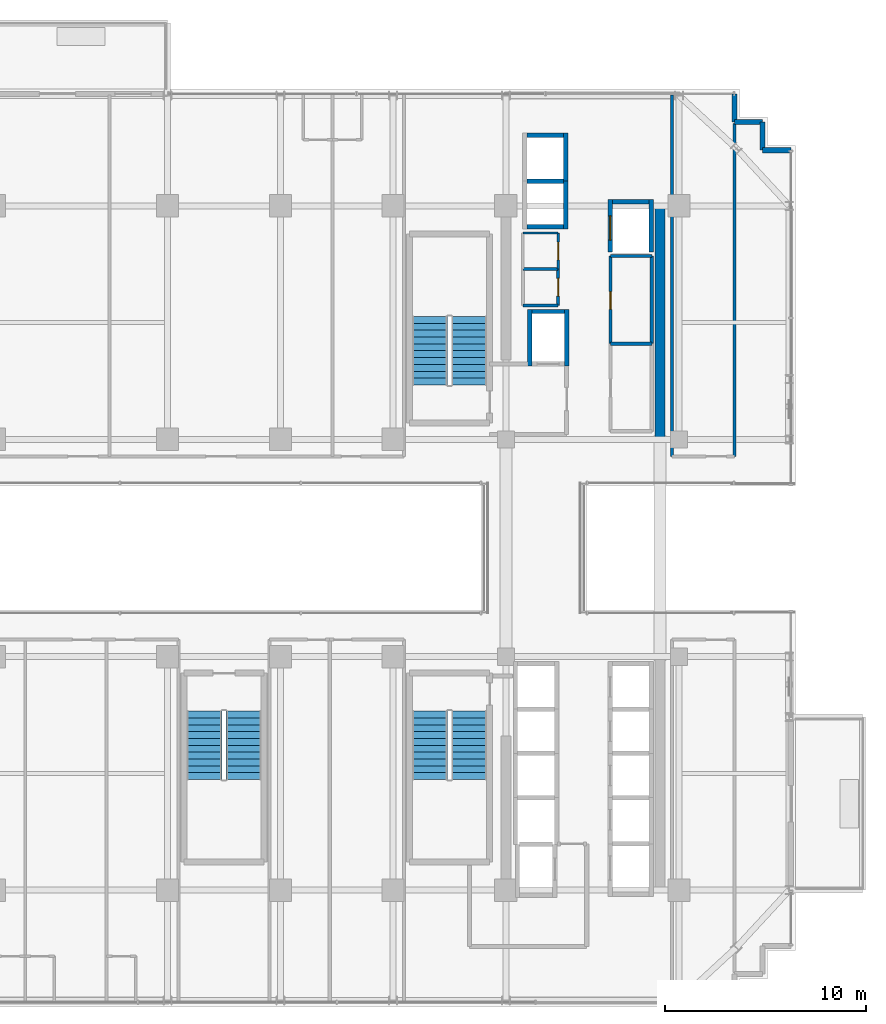
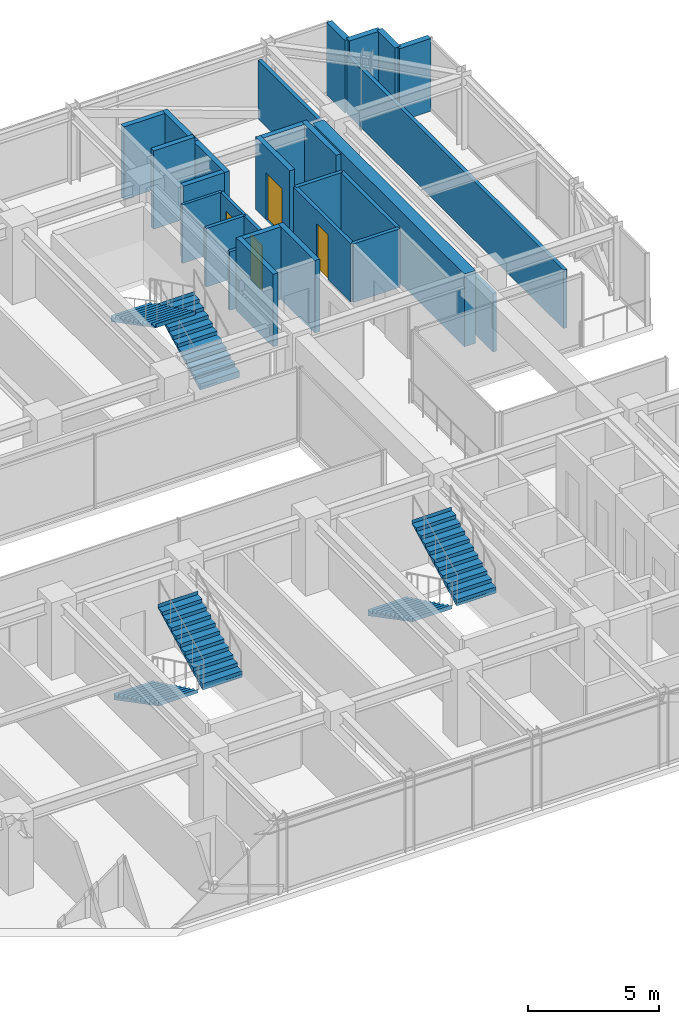
# One storey, part 32 of 36: 27 walls, 6 stair flights, 4 doors, 4 openings, 3 elements without a shape of their own.
"""IFC4 building model written with IfcOpenShell, lengths in metres."""

from ifc_helpers import new_model, si_unit, direction, frame, frame_2d, origin, place, context, subcontext, project, spatial, polyline, rectangle, outline, extrude, source, transform, mapped, material, layer, layer_set, type_object, element, fill, aggregate, save


model = new_model("IFC4")

# Units and contexts
model_context = context("Model", 3, precision=1e-05, world=origin(), true_north=direction((0.0, 1.0)))
body_context = subcontext(model_context, "Body", "Model", "MODEL_VIEW")
ifc_project = project(units=[si_unit("LENGTHUNIT", "METRE"), si_unit("AREAUNIT", "SQUARE_METRE"), si_unit("VOLUMEUNIT", "CUBIC_METRE"), si_unit("PLANEANGLEUNIT", "RADIAN"), si_unit("MASSUNIT", "GRAM", prefix="KILO")], contexts=[model_context])

# Site, building, storey
site_placement = place(None, origin())
site = spatial("IfcSite", under=ifc_project, at=site_placement, CompositionType="ELEMENT")
building_placement = place(site_placement, origin())
building = spatial("IfcBuilding", under=site, at=building_placement, Name="Nahalor Promenade Grand Hotel", CompositionType="ELEMENT")
storey_placement = place(building_placement, frame((0.0, 0.0, 174.550048828125)))
storey = spatial("IfcBuildingStorey", under=building, at=storey_placement, Name="L44", CompositionType="ELEMENT", Elevation=174.550048828125)

# Walls
ifc_material_1 = material(Name="Concrete B-60 (C50/60)", Category="concrete")
ifc_layer_1 = layer(ifc_material_1, 0.5)
ifc_layer_set_1 = layer_set([ifc_layer_1], Name="Concrete B-60 (C50/60)")
wall_type_1 = type_object("IfcWallType", Name="Wall-CoreShear-500", PredefinedType="SHEAR", material=ifc_layer_set_1)
shared_shape_1 = source(origin(), body_context, "Body", "SweptSolid", [
    extrude(rectangle(XDim=11.60009765625, YDim=0.5, at=frame_2d((5.800048828125, 0.0))), origin(), (0.0, 0.0, 1.0), 3.389892578125),
])
wall_1_placement = place(storey_placement, frame((16.050048828125, 5.39990234375, 0.0), z_axis=(0.0, 0.0, 1.0), x_axis=(0.0, 1.0, 0.0)))
element("IfcWall", 1, at=wall_1_placement, inside=storey, type_object=wall_type_1, Name="CWALL-L44-NE", PredefinedType="SHEAR", context=body_context, shape_type="MappedRepresentation", body=[
    mapped(shared_shape_1, transform((0.0, 0.0, 0.0), scale=1.0)),
])
ifc_material_2 = material(Name="Concrete B-50 (C40/50)", Category="concrete")
ifc_layer_2 = layer(ifc_material_2, 0.219970703125)
ifc_layer_set_2 = layer_set([ifc_layer_2], Name="Concrete B-50 (C40/50)")
wall_type_2 = type_object("IfcWallType", Name="Wall-LiftShaft-220", PredefinedType="SHEAR", material=ifc_layer_set_2)
shared_shape_2 = source(origin(), body_context, "Body", "SweptSolid", [
    extrude(rectangle(XDim=1.820068359375, YDim=0.219970703125, at=frame_2d((0.91015625, 0.0))), origin(), (0.0, 0.0, 1.0), 3.64990234375),
])
wall_2_placement = place(storey_placement, frame((9.43994140625, 18.22509765625, 0.0), z_axis=(0.0, 0.0, 1.0), x_axis=(1.0, 0.0, 0.0)))
element("IfcWall", 2, at=wall_2_placement, inside=storey, type_object=wall_type_2, Name="L44 Lift OB1 Hoistway Wall N", PredefinedType="SHEAR", context=body_context, shape_type="MappedRepresentation", body=[
    mapped(shared_shape_2, transform((0.0, 0.0, 0.0), scale=1.0)),
])
shared_shape_3 = source(origin(), body_context, "Body", "SweptSolid", [
    extrude(rectangle(XDim=1.820068359375, YDim=0.219970703125, at=frame_2d((0.91015625, 0.0))), origin(), (0.0, 0.0, 1.0), 3.389892578125),
])
for number, where, z_axis, x_axis, name in (
    (3, (9.43994140625, 15.949951171875, 0.0), (0.0, 0.0, 1.0), (1.0, 0.0, 0.0), "L44 Lift OB1 Hoistway Wall S"),
    (4, (9.43994140625, 20.5, 0.0), (0.0, 0.0, 1.0), (1.0, 0.0, 0.0), "L44 Lift OB2 Hoistway Wall N"),
    (5, (13.68994140625, 17.199951171875, 0.0), (0.0, 0.0, 1.0), (1.0, 0.0, 0.0), "L44 Lift SV1 Hoistway Wall N"),
):
    element("IfcWall", number, at=place(storey_placement, frame(where, z_axis=z_axis, x_axis=x_axis)), inside=storey, type_object=wall_type_2, Name=name, PredefinedType="SHEAR", context=body_context, shape_type="MappedRepresentation", body=[
        mapped(shared_shape_3, transform((0.0, 0.0, 0.0), scale=1.0)),
    ])
shared_shape_4 = source(origin(), body_context, "Body", "SweptSolid", [
    extrude(rectangle(XDim=2.385009765625, YDim=0.219970703125, at=frame_2d((1.1923828125, 0.0))), origin(), (0.0, 0.0, 1.0), 3.389892578125),
])
for number, where, z_axis, x_axis, name in (
    (6, (11.3701171875, 15.840087890625, 0.0), (0.0, 0.0, 1.0), (0.0, 1.0, 0.0), "L44 Lift OB1 Hoistway Wall E"),
    (7, (11.3701171875, 18.22509765625, 0.0), (0.0, 0.0, 1.0), (0.0, 1.0, 0.0), "L44 Lift OB2 Hoistway Wall E"),
):
    element("IfcWall", number, at=place(storey_placement, frame(where, z_axis=z_axis, x_axis=x_axis)), inside=storey, type_object=wall_type_2, Name=name, PredefinedType="SHEAR", context=body_context, shape_type="MappedRepresentation", body=[
        mapped(shared_shape_4, transform((0.0, 0.0, 0.0), scale=1.0)),
    ])
shared_shape_5 = source(origin(), body_context, "Body", "SweptSolid", [
    extrude(rectangle(XDim=2.820068359375, YDim=0.219970703125, at=frame_2d((1.41015625, 0.0))), origin(), (0.0, 0.0, 1.0), 3.389892578125),
])
for number, where, z_axis, x_axis, name in (
    (8, (9.580078125, 9.0400390625, 0.0), (0.0, 0.0, 1.0), (0.0, 1.0, 0.0), "L44 Lift FL1 Hoistway Wall W"),
    (9, (11.419921875, 9.0400390625, 0.0), (0.0, 0.0, 1.0), (0.0, 1.0, 0.0), "L44 Lift FL1 Hoistway Wall E"),
):
    element("IfcWall", number, at=place(storey_placement, frame(where, z_axis=z_axis, x_axis=x_axis)), inside=storey, type_object=wall_type_2, Name=name, PredefinedType="SHEAR", context=body_context, shape_type="MappedRepresentation", body=[
        mapped(shared_shape_5, transform((0.0, 0.0, 0.0), scale=1.0)),
    ])
shared_shape_6 = source(origin(), body_context, "Body", "SweptSolid", [
    extrude(rectangle(XDim=1.6201171875, YDim=0.219970703125, at=frame_2d((0.81005859375, 0.0))), origin(), (0.0, 0.0, 1.0), 3.389892578125),
])
wall_3_placement = place(storey_placement, frame((9.68994140625, 11.75, 0.0), z_axis=(0.0, 0.0, 1.0), x_axis=(1.0, 0.0, 0.0)))
element("IfcWall", 10, at=wall_3_placement, inside=storey, type_object=wall_type_2, Name="L44 Lift FL1 Hoistway Wall N", PredefinedType="SHEAR", context=body_context, shape_type="MappedRepresentation", body=[
    mapped(shared_shape_6, transform((0.0, 0.0, 0.0), scale=1.0)),
])

# Wall, opening, door
shared_shape_7 = source(origin(), body_context, "Body", "SweptSolid", [
    extrude(rectangle(XDim=2.610107421875, YDim=0.219970703125, at=frame_2d((1.30517578125, 0.0))), origin(), (0.0, 0.0, 1.0), 3.389892578125),
])
wall_4_placement = place(storey_placement, frame((13.580078125, 14.699951171875, 0.0), z_axis=(0.0, 0.0, 1.0), x_axis=(0.0, 1.0, 0.0)))
wall_4 = element("IfcWall", 11, at=wall_4_placement, inside=storey, type_object=wall_type_2, Name="L44 Lift SV1 Hoistway Wall W", PredefinedType="SHEAR", context=body_context, shape_type="MappedRepresentation", body=[
    mapped(shared_shape_7, transform((0.0, 0.0, 0.0), scale=1.0)),
])
opening_1_placement = place(wall_4_placement, frame((0.60009765625, 0.0, 0.0)))
opening_1 = element("IfcOpeningElement", 12, at=opening_1_placement, cuts=wall_4, Name="Opening LD-03", PredefinedType="OPENING", context=body_context, shape_type="SweptSolid", body=[
    extrude(rectangle(XDim=1.199951171875, YDim=2.199951171875, at=frame_2d((0.60009765625, 1.10009765625))), frame((0.0, 0.119873046875, 0.0), z_axis=(0.0, -1.0, 0.0), x_axis=(1.0, 0.0, 0.0)), (0.0, 0.0, 1.0), 0.239990234375),
])
ifc_material_3 = material(Name="Steel S355JR", Category="steel")
door_type_1 = type_object("IfcDoorType", Name="Door-LiftService-1200", OperationType="DOUBLE_DOOR_SLIDING", PredefinedType="DOOR", material=ifc_material_3)
shared_shape_8 = source(origin(), body_context, "Body", "SweptSolid", [
    extrude(rectangle(XDim=1.199951171875, YDim=2.199951171875, at=frame_2d((0.60009765625, 1.10009765625))), frame((0.0, 0.02490234375, 0.0), z_axis=(0.0, -1.0, 0.0), x_axis=(1.0, 0.0, 0.0)), (0.0, 0.0, 1.0), 0.050048828125),
])
door_1_placement = place(opening_1_placement, origin())
door_1 = element("IfcDoor", 13, at=door_1_placement, inside=storey, type_object=door_type_1, Name="DR-LIFT-SV1-L44", OperationType="DOUBLE_DOOR_SLIDING", OverallHeight=2.199951171875, OverallWidth=1.199951171875, PredefinedType="DOOR", context=body_context, shape_type="MappedRepresentation", body=[
    mapped(shared_shape_8, transform((0.0, 0.0, 0.0), scale=1.0)),
])
fill(opening_1, door_1)

# Walls
wall_5_placement = place(storey_placement, frame((15.6201171875, 14.699951171875, 0.0), z_axis=(0.0, 0.0, 1.0), x_axis=(0.0, 1.0, 0.0)))
element("IfcWall", 14, at=wall_5_placement, inside=storey, type_object=wall_type_2, Name="L44 Lift SV1 Hoistway Wall E", PredefinedType="SHEAR", context=body_context, shape_type="MappedRepresentation", body=[
    mapped(shared_shape_7, transform((0.0, 0.0, 0.0), scale=1.0)),
])
ifc_material_4 = material(Name="Concrete B-40 (C32/40)", Category="concrete")
ifc_layer_3 = layer(ifc_material_4, 0.25)
ifc_layer_set_3 = layer_set([ifc_layer_3], Name="Concrete B-40 (C32/40)")
wall_type_3 = type_object("IfcWallType", Name="Wall-BronzePier-250", PredefinedType="STANDARD", material=ifc_layer_set_3)
shared_shape_9 = source(origin(), body_context, "Body", "SweptSolid", [
    extrude(rectangle(XDim=1.400146484375, YDim=0.25, at=frame_2d((0.7001953125, 0.0))), origin(), (0.0, 0.0, 1.0), 3.389892578125),
])
for number, where, z_axis, x_axis, name in (
    (15, (21.159912109375, 19.760009765625, 0.0), (0.0, 0.0, 1.0), (1.0, 0.0, 0.0), "W-L44-SR-05"),
    (16, (19.760009765625, 21.159912109375, 0.0), (0.0, 0.0, 1.0), (0.0, 1.0, 0.0), "W-L44-SR-08"),
):
    element("IfcWall", number, at=place(storey_placement, frame(where, z_axis=z_axis, x_axis=x_axis)), inside=storey, type_object=wall_type_3, Name=name, PredefinedType="STANDARD", context=body_context, shape_type="MappedRepresentation", body=[
        mapped(shared_shape_9, transform((0.0, 0.0, 0.0), scale=1.0)),
    ])
shared_shape_10 = source(origin(), body_context, "Body", "SweptSolid", [
    extrude(rectangle(XDim=1.39990234375, YDim=0.25, at=frame_2d((0.699951171875, 0.0))), origin(), (0.0, 0.0, 1.0), 3.389892578125),
])
for number, where, z_axis, x_axis, name in (
    (17, (21.159912109375, 19.760009765625, 0.0), (0.0, 0.0, 1.0), (0.0, 1.0, 0.0), "W-L44-SR-06"),
    (18, (19.760009765625, 21.159912109375, 0.0), (0.0, 0.0, 1.0), (1.0, 0.0, 0.0), "W-L44-SR-07"),
):
    element("IfcWall", number, at=place(storey_placement, frame(where, z_axis=z_axis, x_axis=x_axis)), inside=storey, type_object=wall_type_3, Name=name, PredefinedType="STANDARD", context=body_context, shape_type="MappedRepresentation", body=[
        mapped(shared_shape_10, transform((0.0, 0.0, 0.0), scale=1.0)),
    ])
ifc_material_5 = material(Name="Acoustic Mineral Gypsum", Category="gypsum")
ifc_layer_4 = layer(ifc_material_5, 0.14990234375)
ifc_layer_set_4 = layer_set([ifc_layer_4], Name="Acoustic Mineral Gypsum")
wall_type_4 = type_object("IfcWallType", Name="Wall-PartService-150", PredefinedType="PARTITIONING", material=ifc_layer_set_4)
shared_shape_11 = source(origin(), body_context, "Body", "SweptSolid", [
    extrude(rectangle(XDim=1.75, YDim=0.14990234375, at=frame_2d((0.875, 0.0))), origin(), (0.0, 0.0, 1.0), 2.72998046875),
])
for number, where, z_axis, x_axis, name in (
    (19, (9.25, 12.050048828125, 0.0), (0.0, 0.0, 1.0), (1.0, 0.0, 0.0), "W-L44-CK2A-S"),
    (20, (9.25, 13.85009765625, 0.0), (0.0, 0.0, 1.0), (1.0, 0.0, 0.0), "W-L44-CK2A-N"),
):
    element("IfcWall", number, at=place(storey_placement, frame(where, z_axis=z_axis, x_axis=x_axis)), inside=storey, type_object=wall_type_4, Name=name, PredefinedType="PARTITIONING", context=body_context, shape_type="MappedRepresentation", body=[
        mapped(shared_shape_11, transform((0.0, 0.0, 0.0), scale=1.0)),
    ])
ifc_layer_5 = layer(ifc_material_5, 0.159912109375)
ifc_layer_set_5 = layer_set([ifc_layer_5], Name="Acoustic Mineral Gypsum")
wall_type_5 = type_object("IfcWallType", Name="Wall-PartCorridor-160", PredefinedType="PARTITIONING", material=ifc_layer_set_5)
shared_shape_12 = source(origin(), body_context, "Body", "SweptSolid", [
    extrude(rectangle(XDim=2.0498046875, YDim=0.159912109375, at=frame_2d((1.02490234375, 0.0))), origin(), (0.0, 0.0, 1.0), 2.72998046875),
])
for number, where, z_axis, x_axis, name in (
    (21, (13.60009765625, 10.14990234375, 0.0), (0.0, 0.0, 1.0), (1.0, 0.0, 0.0), "W-L44-FRB1A-N"),
    (22, (13.60009765625, 14.5, 0.0), (0.0, 0.0, 1.0), (1.0, 0.0, 0.0), "W-L44-FRB1B-N"),
):
    element("IfcWall", number, at=place(storey_placement, frame(where, z_axis=z_axis, x_axis=x_axis)), inside=storey, type_object=wall_type_5, Name=name, PredefinedType="PARTITIONING", context=body_context, shape_type="MappedRepresentation", body=[
        mapped(shared_shape_12, transform((0.0, 0.0, 0.0), scale=1.0)),
    ])
shared_shape_13 = source(origin(), body_context, "Body", "SweptSolid", [
    extrude(rectangle(XDim=17.949951171875, YDim=0.159912109375, at=frame_2d((8.97509765625, 0.0))), origin(), (0.0, 0.0, 1.0), 2.72998046875),
])
wall_6_placement = place(storey_placement, frame((16.64990234375, 4.550048828125, 0.0), z_axis=(0.0, 0.0, 1.0), x_axis=(0.0, 1.0, 0.0)))
element("IfcWall", 23, at=wall_6_placement, inside=storey, type_object=wall_type_5, Name="W-L44-ENE-W", PredefinedType="PARTITIONING", context=body_context, shape_type="MappedRepresentation", body=[
    mapped(shared_shape_13, transform((0.0, 0.0, 0.0), scale=1.0)),
])
shared_shape_14 = source(origin(), body_context, "Body", "SweptSolid", [
    extrude(rectangle(XDim=16.530029296875, YDim=0.159912109375, at=frame_2d((8.26513671875, 0.0))), origin(), (0.0, 0.0, 1.0), 2.72998046875),
])
wall_7_placement = place(storey_placement, frame((19.760009765625, 4.550048828125, 0.0), z_axis=(0.0, 0.0, 1.0), x_axis=(0.0, 1.0, 0.0)))
element("IfcWall", 24, at=wall_7_placement, inside=storey, type_object=wall_type_5, Name="W-L44-ENE-E", PredefinedType="PARTITIONING", context=body_context, shape_type="MappedRepresentation", body=[
    mapped(shared_shape_14, transform((0.0, 0.0, 0.0), scale=1.0)),
])

# Wall, opening, door
shared_shape_15 = source(origin(), body_context, "Body", "SweptSolid", [
    extrude(rectangle(XDim=1.800048828125, YDim=0.14990234375, at=frame_2d((0.89990234375, 0.0))), origin(), (0.0, 0.0, 1.0), 2.72998046875),
])
wall_8_placement = place(storey_placement, frame((11.0, 12.050048828125, 0.0), z_axis=(0.0, 0.0, 1.0), x_axis=(0.0, 1.0, 0.0)))
wall_8 = element("IfcWall", 25, at=wall_8_placement, inside=storey, type_object=wall_type_4, Name="W-L44-CK2A-E", PredefinedType="PARTITIONING", context=body_context, shape_type="MappedRepresentation", body=[
    mapped(shared_shape_15, transform((0.0, 0.0, 0.0), scale=1.0)),
])
opening_2_placement = place(wall_8_placement, frame((0.4599609375, 0.0, 0.0)))
opening_2 = element("IfcOpeningElement", 26, at=opening_2_placement, cuts=wall_8, Name="Opening D-03", PredefinedType="OPENING", context=body_context, shape_type="SweptSolid", body=[
    extrude(rectangle(XDim=0.8798828125, YDim=2.10009765625, at=frame_2d((0.43994140625, 1.050048828125))), frame((0.0, 0.0849609375, 0.0), z_axis=(0.0, -1.0, 0.0), x_axis=(1.0, 0.0, 0.0)), (0.0, 0.0, 1.0), 0.169921875),
])
ifc_material_6 = material(Name="Fire-Rated Timber Composite", Category="wood")
door_type_2 = type_object("IfcDoorType", Name="Door-BathSwing-880", OperationType="NOTDEFINED", PredefinedType="DOOR", material=ifc_material_6)
shared_shape_16 = source(origin(), body_context, "Body", "SweptSolid", [
    extrude(rectangle(XDim=0.8798828125, YDim=2.10009765625, at=frame_2d((0.43994140625, 1.050048828125))), frame((0.0, 0.02490234375, 0.0), z_axis=(0.0, -1.0, 0.0), x_axis=(1.0, 0.0, 0.0)), (0.0, 0.0, 1.0), 0.050048828125),
])
door_2_placement = place(opening_2_placement, origin())
door_2 = element("IfcDoor", 27, at=door_2_placement, inside=storey, type_object=door_type_2, Name="DR-L44-CK2A", OperationType="SINGLE_SWING_LEFT", OverallHeight=2.10009765625, OverallWidth=0.8798828125, PredefinedType="DOOR", context=body_context, shape_type="MappedRepresentation", body=[
    mapped(shared_shape_16, transform((0.0, 0.0, 0.0), scale=1.0)),
])
fill(opening_2, door_2)

# Wall
ifc_layer_6 = layer(ifc_material_5, 0.1201171875)
ifc_layer_set_6 = layer_set([ifc_layer_6], Name="Acoustic Mineral Gypsum")
wall_type_6 = type_object("IfcWallType", Name="Wall-PartBath-120", PredefinedType="PARTITIONING", material=ifc_layer_set_6)
shared_shape_17 = source(origin(), body_context, "Body", "SweptSolid", [
    extrude(rectangle(XDim=1.75, YDim=0.1201171875, at=frame_2d((0.875, 0.0))), origin(), (0.0, 0.0, 1.0), 2.72998046875),
])
wall_9_placement = place(storey_placement, frame((9.25, 15.64990234375, 0.0), z_axis=(0.0, 0.0, 1.0), x_axis=(1.0, 0.0, 0.0)))
element("IfcWall", 28, at=wall_9_placement, inside=storey, type_object=wall_type_6, Name="W-L44-CK2B-N", PredefinedType="PARTITIONING", context=body_context, shape_type="MappedRepresentation", body=[
    mapped(shared_shape_17, transform((0.0, 0.0, 0.0), scale=1.0)),
])

# Wall, opening, door
shared_shape_18 = source(origin(), body_context, "Body", "SweptSolid", [
    extrude(rectangle(XDim=1.7998046875, YDim=0.1201171875, at=frame_2d((0.89990234375, 0.0))), origin(), (0.0, 0.0, 1.0), 2.72998046875),
])
wall_10_placement = place(storey_placement, frame((11.0, 13.85009765625, 0.0), z_axis=(0.0, 0.0, 1.0), x_axis=(0.0, 1.0, 0.0)))
wall_10 = element("IfcWall", 29, at=wall_10_placement, inside=storey, type_object=wall_type_6, Name="W-L44-CK2B-E", PredefinedType="PARTITIONING", context=body_context, shape_type="MappedRepresentation", body=[
    mapped(shared_shape_18, transform((0.0, 0.0, 0.0), scale=1.0)),
])
opening_3_placement = place(wall_10_placement, frame((0.4599609375, 0.0, 0.0)))
opening_3 = element("IfcOpeningElement", 30, at=opening_3_placement, cuts=wall_10, Name="Opening D-03", PredefinedType="OPENING", context=body_context, shape_type="SweptSolid", body=[
    extrude(rectangle(XDim=0.8798828125, YDim=2.10009765625, at=frame_2d((0.43994140625, 1.050048828125))), frame((0.0, 0.070068359375, 0.0), z_axis=(0.0, -1.0, 0.0), x_axis=(1.0, 0.0, 0.0)), (0.0, 0.0, 1.0), 0.14013671875),
])
door_3_placement = place(opening_3_placement, origin())
door_3 = element("IfcDoor", 31, at=door_3_placement, inside=storey, type_object=door_type_2, Name="DR-L44-CK2B", OperationType="SINGLE_SWING_RIGHT", OverallHeight=2.10009765625, OverallWidth=0.8798828125, PredefinedType="DOOR", context=body_context, shape_type="MappedRepresentation", body=[
    mapped(shared_shape_16, transform((0.0, 0.0, 0.0), scale=1.0)),
])
fill(opening_3, door_3)

shared_shape_19 = source(origin(), body_context, "Body", "SweptSolid", [
    extrude(rectangle(XDim=4.35009765625, YDim=0.159912109375, at=frame_2d((2.175048828125, 0.0))), origin(), (0.0, 0.0, 1.0), 2.72998046875),
])
wall_11_placement = place(storey_placement, frame((13.60009765625, 10.14990234375, 0.0), z_axis=(0.0, 0.0, 1.0), x_axis=(0.0, 1.0, 0.0)))
wall_11 = element("IfcWall", 32, at=wall_11_placement, inside=storey, type_object=wall_type_5, Name="W-L44-FRB1B-W", PredefinedType="PARTITIONING", context=body_context, shape_type="MappedRepresentation", body=[
    mapped(shared_shape_19, transform((0.0, 0.0, 0.0), scale=1.0)),
])
opening_4_placement = place(wall_11_placement, frame((1.7099609375, 0.0, 0.0)))
opening_4 = element("IfcOpeningElement", 33, at=opening_4_placement, cuts=wall_11, Name="Opening D-03", PredefinedType="OPENING", context=body_context, shape_type="SweptSolid", body=[
    extrude(rectangle(XDim=0.8798828125, YDim=2.10009765625, at=frame_2d((0.43994140625, 1.050048828125))), frame((0.0, 0.08984375, 0.0), z_axis=(0.0, -1.0, 0.0), x_axis=(1.0, 0.0, 0.0)), (0.0, 0.0, 1.0), 0.179931640625),
])
door_4_placement = place(opening_4_placement, frame((0.8798828125, 0.0, 0.0), z_axis=(0.0, 0.0, 1.0), x_axis=(-1.0, 0.0, 0.0)))
door_4 = element("IfcDoor", 34, at=door_4_placement, inside=storey, type_object=door_type_2, Name="DR-L44-FRB1B", OperationType="SINGLE_SWING_RIGHT", OverallHeight=2.10009765625, OverallWidth=0.8798828125, PredefinedType="DOOR", context=body_context, shape_type="MappedRepresentation", body=[
    mapped(shared_shape_16, transform((0.0, 0.0, 0.0), scale=1.0)),
])
fill(opening_4, door_4)

# Wall
wall_12_placement = place(storey_placement, frame((15.64990234375, 10.14990234375, 0.0), z_axis=(0.0, 0.0, 1.0), x_axis=(0.0, 1.0, 0.0)))
element("IfcWall", 35, at=wall_12_placement, inside=storey, type_object=wall_type_5, Name="W-L44-FRB1B-E", PredefinedType="PARTITIONING", context=body_context, shape_type="MappedRepresentation", body=[
    mapped(shared_shape_19, transform((0.0, 0.0, 0.0), scale=1.0)),
])

# Stair, stair flights
stair_type_1 = type_object("IfcStairType", Name="Stair-ST1", PredefinedType="HALF_TURN_STAIR", material=ifc_material_2)
stair_1_placement = place(storey_placement, origin())
stair_1 = element("IfcStair", 36, at=stair_1_placement, inside=storey, type_object=stair_type_1, Name="L44 ST1", PredefinedType="HALF_TURN_STAIR")
ifc_layer_7 = layer(ifc_material_2, 0.179931640625)
ifc_layer_set_7 = layer_set([ifc_layer_7], Name="Concrete B-50 (C40/50)")
stair_flight_type_1 = type_object("IfcStairFlightType", Name="Flight-ST1", PredefinedType="STRAIGHT", material=ifc_layer_set_7)
shared_shape_20 = source(origin(), body_context, "Body", "SweptSolid", [
    extrude(outline(polyline([(-0.00390625, -0.1201171875), (-0.00390625, 0.0), (0.0, 0.0), (0.0, 0.166015625), (0.340087890625, 0.166015625), (0.340087890625, 0.331787109375), (0.679931640625, 0.331787109375), (0.679931640625, 0.497802734375), (1.02001953125, 0.497802734375), (1.02001953125, 0.66357421875), (1.360107421875, 0.66357421875), (1.360107421875, 0.82958984375), (1.699951171875, 0.82958984375), (1.699951171875, 0.995361328125), (2.0400390625, 0.995361328125), (2.0400390625, 1.161376953125), (2.3798828125, 1.161376953125), (2.3798828125, 1.327392578125), (2.719970703125, 1.327392578125), (2.719970703125, 1.4931640625), (3.06005859375, 1.4931640625), (3.06005859375, 1.6591796875), (3.39990234375, 1.6591796875), (3.39990234375, 1.824951171875), (3.404052734375, 1.824951171875), (3.404052734375, 1.64501953125), (0.02001953125, -0.1201171875), (-0.00390625, -0.1201171875)])), frame((0.0, 0.875, 0.0), z_axis=(0.0, -1.0, 0.0), x_axis=(1.0, 0.0, 0.0)), (0.0, 0.0, 1.0), 1.75),
])
stair_flight_1_placement = place(storey_placement, frame((6.574951171875, 8.10009765625, 0.0), z_axis=(0.0, 0.0, 1.0), x_axis=(0.0, 1.0, 0.0)))
stair_flight_1 = element("IfcStairFlight", 37, at=stair_flight_1_placement, type_object=stair_flight_type_1, Name="ST1 flight 1", NumberOfRisers=11, NumberOfTreads=10, PredefinedType="STRAIGHT", RiserHeight=0.165909091, TreadLength=0.34, context=body_context, shape_type="MappedRepresentation", body=[
    mapped(shared_shape_20, transform((0.0, 0.0, 0.0), scale=1.0)),
])
stair_flight_2_placement = place(storey_placement, frame((4.625, 11.5, 1.824951171875), z_axis=(0.0, 0.0, 1.0), x_axis=(0.0, -1.0, 0.0)))
stair_flight_2 = element("IfcStairFlight", 38, at=stair_flight_2_placement, type_object=stair_flight_type_1, Name="ST1 flight 2", NumberOfRisers=11, NumberOfTreads=10, PredefinedType="STRAIGHT", RiserHeight=0.165909091, TreadLength=0.34, context=body_context, shape_type="MappedRepresentation", body=[
    mapped(shared_shape_20, transform((0.0, 0.0, 0.0), scale=1.0)),
])
aggregate(stair_1, [stair_flight_1, stair_flight_2])

stair_type_2 = type_object("IfcStairType", Name="Stair-ST2", PredefinedType="HALF_TURN_STAIR", material=ifc_material_2)
stair_2_placement = place(storey_placement, origin())
stair_2 = element("IfcStair", 39, at=stair_2_placement, inside=storey, type_object=stair_type_2, Name="L44 ST2", PredefinedType="HALF_TURN_STAIR")
ifc_layer_8 = layer(ifc_material_2, 0.18994140625)
ifc_layer_set_8 = layer_set([ifc_layer_8], Name="Concrete B-50 (C40/50)")
stair_flight_type_2 = type_object("IfcStairFlightType", Name="Flight-ST2", PredefinedType="STRAIGHT", material=ifc_layer_set_8)
shared_shape_21 = source(origin(), body_context, "Body", "SweptSolid", [
    extrude(outline(polyline([(-0.00390625, -0.1201171875), (-0.00390625, 0.0), (0.0, 0.0), (0.0, 0.166015625), (0.340087890625, 0.166015625), (0.340087890625, 0.331787109375), (0.679931640625, 0.331787109375), (0.679931640625, 0.497802734375), (1.02001953125, 0.497802734375), (1.02001953125, 0.66357421875), (1.360107421875, 0.66357421875), (1.360107421875, 0.82958984375), (1.699951171875, 0.82958984375), (1.699951171875, 0.995361328125), (2.0400390625, 0.995361328125), (2.0400390625, 1.161376953125), (2.3798828125, 1.161376953125), (2.3798828125, 1.327392578125), (2.719970703125, 1.327392578125), (2.719970703125, 1.4931640625), (3.06005859375, 1.4931640625), (3.06005859375, 1.6591796875), (3.39990234375, 1.6591796875), (3.39990234375, 1.824951171875), (3.404052734375, 1.824951171875), (3.404052734375, 1.64501953125), (0.02001953125, -0.1201171875), (-0.00390625, -0.1201171875)])), frame((0.0, 0.875, 0.0), z_axis=(0.0, -1.0, 0.0), x_axis=(1.0, 0.0, 0.0)), (0.0, 0.0, 1.0), 1.75),
])
stair_flight_3_placement = place(storey_placement, frame((4.625, -8.10009765625, 0.0), z_axis=(0.0, 0.0, 1.0), x_axis=(0.0, -1.0, 0.0)))
stair_flight_3 = element("IfcStairFlight", 40, at=stair_flight_3_placement, type_object=stair_flight_type_2, Name="ST2 flight 1", NumberOfRisers=11, NumberOfTreads=10, PredefinedType="STRAIGHT", RiserHeight=0.165909091, TreadLength=0.34, context=body_context, shape_type="MappedRepresentation", body=[
    mapped(shared_shape_21, transform((0.0, 0.0, 0.0), scale=1.0)),
])
stair_flight_4_placement = place(storey_placement, frame((6.574951171875, -11.5, 1.824951171875), z_axis=(0.0, 0.0, 1.0), x_axis=(0.0, 1.0, 0.0)))
stair_flight_4 = element("IfcStairFlight", 41, at=stair_flight_4_placement, type_object=stair_flight_type_2, Name="ST2 flight 2", NumberOfRisers=11, NumberOfTreads=10, PredefinedType="STRAIGHT", RiserHeight=0.165909091, TreadLength=0.34, context=body_context, shape_type="MappedRepresentation", body=[
    mapped(shared_shape_21, transform((0.0, 0.0, 0.0), scale=1.0)),
])
aggregate(stair_2, [stair_flight_3, stair_flight_4])

stair_type_3 = type_object("IfcStairType", Name="Stair-ST3", PredefinedType="HALF_TURN_STAIR", material=ifc_material_2)
stair_3_placement = place(storey_placement, origin())
stair_3 = element("IfcStair", 42, at=stair_3_placement, inside=storey, type_object=stair_type_3, Name="L44 ST3", PredefinedType="HALF_TURN_STAIR")
ifc_layer_9 = layer(ifc_material_2, 0.199951171875)
ifc_layer_set_9 = layer_set([ifc_layer_9], Name="Concrete B-50 (C40/50)")
stair_flight_type_3 = type_object("IfcStairFlightType", Name="Flight-ST3", PredefinedType="STRAIGHT", material=ifc_layer_set_9)
shared_shape_22 = source(origin(), body_context, "Body", "SweptSolid", [
    extrude(outline(polyline([(-0.00390625, -0.1201171875), (-0.00390625, 0.0), (0.0, 0.0), (0.0, 0.166015625), (0.340087890625, 0.166015625), (0.340087890625, 0.331787109375), (0.679931640625, 0.331787109375), (0.679931640625, 0.497802734375), (1.02001953125, 0.497802734375), (1.02001953125, 0.66357421875), (1.360107421875, 0.66357421875), (1.360107421875, 0.82958984375), (1.699951171875, 0.82958984375), (1.699951171875, 0.995361328125), (2.0400390625, 0.995361328125), (2.0400390625, 1.161376953125), (2.3798828125, 1.161376953125), (2.3798828125, 1.327392578125), (2.719970703125, 1.327392578125), (2.719970703125, 1.4931640625), (3.06005859375, 1.4931640625), (3.06005859375, 1.6591796875), (3.39990234375, 1.6591796875), (3.39990234375, 1.824951171875), (3.404052734375, 1.824951171875), (3.404052734375, 1.64501953125), (0.02001953125, -0.1201171875), (-0.00390625, -0.1201171875)])), frame((0.0, 0.875, 0.0), z_axis=(0.0, -1.0, 0.0), x_axis=(1.0, 0.0, 0.0)), (0.0, 0.0, 1.0), 1.75),
])
stair_flight_5_placement = place(storey_placement, frame((-6.574951171875, -8.10009765625, 0.0), z_axis=(0.0, 0.0, 1.0), x_axis=(0.0, -1.0, 0.0)))
stair_flight_5 = element("IfcStairFlight", 43, at=stair_flight_5_placement, type_object=stair_flight_type_3, Name="ST3 flight 1", NumberOfRisers=11, NumberOfTreads=10, PredefinedType="STRAIGHT", RiserHeight=0.165909091, TreadLength=0.34, context=body_context, shape_type="MappedRepresentation", body=[
    mapped(shared_shape_22, transform((0.0, 0.0, 0.0), scale=1.0)),
])
stair_flight_6_placement = place(storey_placement, frame((-4.625, -11.5, 1.824951171875), z_axis=(0.0, 0.0, 1.0), x_axis=(0.0, 1.0, 0.0)))
stair_flight_6 = element("IfcStairFlight", 44, at=stair_flight_6_placement, type_object=stair_flight_type_3, Name="ST3 flight 2", NumberOfRisers=11, NumberOfTreads=10, PredefinedType="STRAIGHT", RiserHeight=0.165909091, TreadLength=0.34, context=body_context, shape_type="MappedRepresentation", body=[
    mapped(shared_shape_22, transform((0.0, 0.0, 0.0), scale=1.0)),
])
aggregate(stair_3, [stair_flight_5, stair_flight_6])

save(model, "model.ifc")
